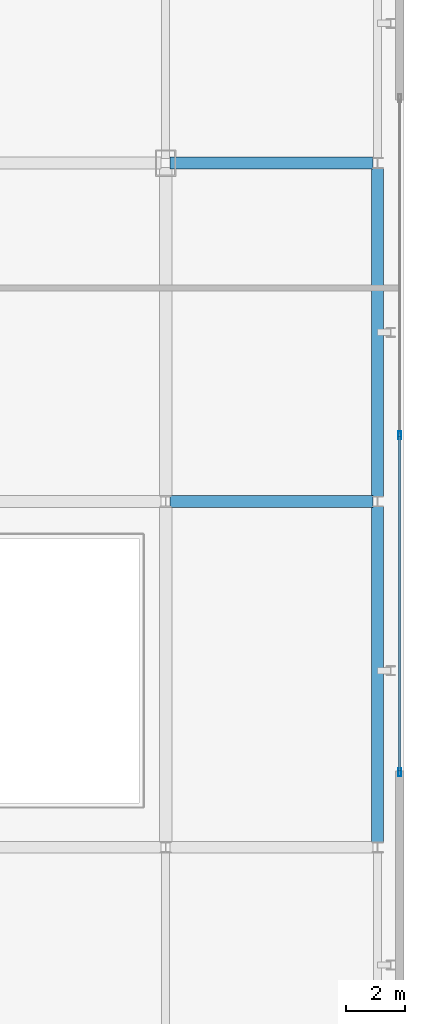
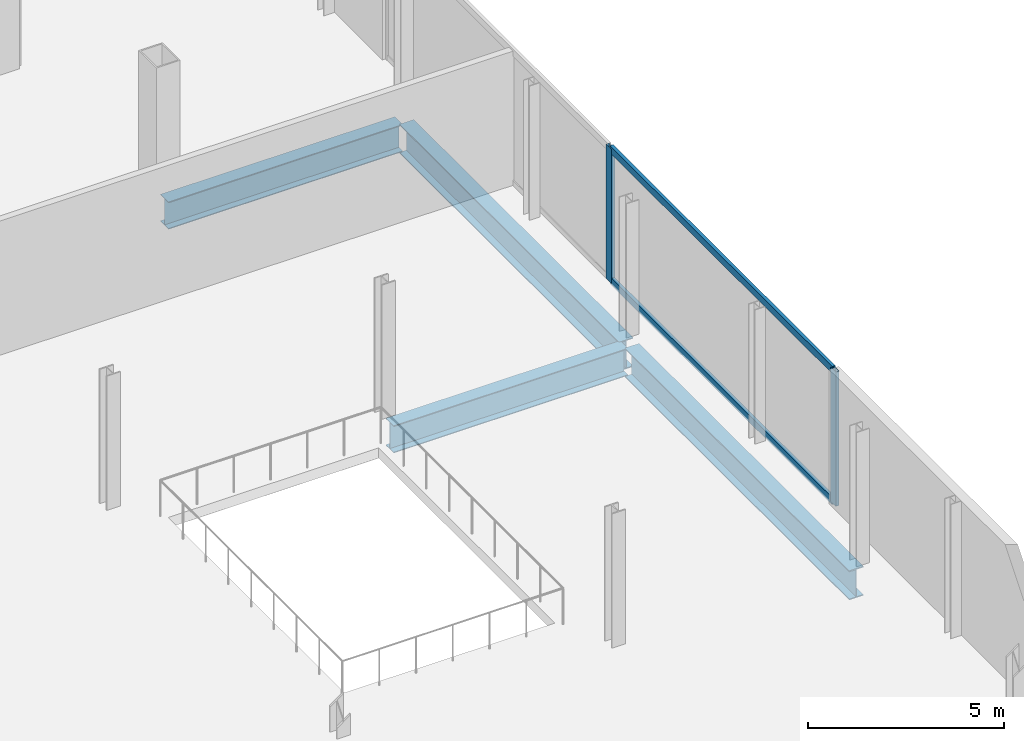
# One storey, part 16 of 27: 4 beams, 4 members, 1 element without a shape of its own.
"""IFC4 building model written with IfcOpenShell, lengths in metres."""

from ifc_helpers import new_model, si_unit, direction, frame, origin, origin_2d, place, context, subcontext, project, spatial, hollow_rectangle, i_section, extrude, source, transform, mapped, material, layer, layer_set, material_profile, profile_set, type_object, element, aggregate, save


model = new_model("IFC4")

# Units and contexts
model_context = context("Model", 3, precision=1e-05, world=origin(), true_north=direction((0.0, 1.0)))
body_context = subcontext(model_context, "Body", "Model", "MODEL_VIEW")
ifc_project = project(units=[si_unit("LENGTHUNIT", "METRE"), si_unit("AREAUNIT", "SQUARE_METRE"), si_unit("VOLUMEUNIT", "CUBIC_METRE"), si_unit("PLANEANGLEUNIT", "RADIAN"), si_unit("MASSUNIT", "GRAM", prefix="KILO")], contexts=[model_context])

# Site, building, storey
site_placement = place(None, origin())
site = spatial("IfcSite", under=ifc_project, at=site_placement, CompositionType="ELEMENT")
building_placement = place(site_placement, origin())
building = spatial("IfcBuilding", under=site, at=building_placement, Name="Kolveth Station Tower", CompositionType="ELEMENT")
storey_placement = place(building_placement, frame((0.0, 0.0, 13.5)))
storey = spatial("IfcBuildingStorey", under=building, at=storey_placement, Name="L03", CompositionType="ELEMENT", Elevation=13.5)

# Beams
ifc_material_1 = material(Name="Steel S355", Category="steel")
ifc_material_profile_1 = material_profile(ifc_material_1, i_section(OverallWidth=0.40087890625, OverallDepth=0.85107421875, WebThickness=0.01611328125, FlangeThickness=0.025390625, at=origin_2d()), Name="W840x226")
ifc_profile_set_1 = profile_set([ifc_material_profile_1], Name="Steel S355")
beam_type_1 = type_object("IfcBeamType", Name="Beam_B2", PredefinedType="BEAM", material=ifc_profile_set_1)
shared_shape_1 = source(origin(), body_context, "Body", "SweptSolid", [
    extrude(i_section(OverallWidth=0.40087890625, OverallDepth=0.85107421875, WebThickness=0.01611328125, FlangeThickness=0.025390625, at=origin_2d()), origin(), (0.0, 0.0, 1.0), 6.900146484375),
])
for number, where, z_axis, x_axis, name in (
    (1, (63.64990234375, 17.25, -0.74560546875), (1.0, 0.0, 0.0), (0.0, 1.0, 0.0), "L03 Station Portal Girder SBM-L03-EW-4-3"),
    (2, (63.64990234375, 28.75, -0.74560546875), (1.0, 0.0, 0.0), (0.0, 1.0, 0.0), "L03 Station Portal Girder SBM-L03-EW-5-3"),
):
    element("IfcBeam", number, at=place(storey_placement, frame(where, z_axis=z_axis, x_axis=x_axis)), inside=storey, type_object=beam_type_1, Name=name, PredefinedType="BEAM", context=body_context, shape_type="MappedRepresentation", body=[
        mapped(shared_shape_1, transform((0.0, 0.0, 0.0), x_axis=(1.0, 0.0, 0.0), y_axis=(0.0, 1.0, 0.0), z_axis=(0.0, 0.0, 1.0), scale=1.0)),
    ])
ifc_material_profile_2 = material_profile(ifc_material_1, i_section(OverallWidth=0.41796875, OverallDepth=0.912109375, WebThickness=0.019287109375, FlangeThickness=0.031982421875, at=origin_2d()), Name="W920x342")
ifc_profile_set_2 = profile_set([ifc_material_profile_2], Name="Steel S355")
beam_type_2 = type_object("IfcBeamType", Name="Beam_B1", PredefinedType="BEAM", material=ifc_profile_set_2)
shared_shape_2 = source(origin(), body_context, "Body", "SweptSolid", [
    extrude(i_section(OverallWidth=0.41796875, OverallDepth=0.912109375, WebThickness=0.019287109375, FlangeThickness=0.031982421875, at=origin_2d()), origin(), (0.0, 0.0, 1.0), 11.4501953125),
])
beam_1_placement = place(storey_placement, frame((70.699951171875, 5.64990234375, -0.77587890625), z_axis=(0.0, 1.0, 0.0), x_axis=(-1.0, 0.0, 0.0)))
element("IfcBeam", 3, at=beam_1_placement, inside=storey, type_object=beam_type_2, Name="L03 Station Spine Girder SBM-L03-NS-4-3", PredefinedType="BEAM", context=body_context, shape_type="MappedRepresentation", body=[
    mapped(shared_shape_2, transform((0.0, 0.0, 0.0), x_axis=(1.0, 0.0, 0.0), y_axis=(0.0, 1.0, 0.0), z_axis=(0.0, 0.0, 1.0), scale=1.0)),
])
shared_shape_3 = source(origin(), body_context, "Body", "SweptSolid", [
    extrude(i_section(OverallWidth=0.41796875, OverallDepth=0.912109375, WebThickness=0.019287109375, FlangeThickness=0.031982421875, at=origin_2d()), origin(), (0.0, 0.0, 1.0), 11.2001953125),
])
beam_2_placement = place(storey_placement, frame((70.699951171875, 17.39990234375, -0.77587890625), z_axis=(0.0, 1.0, 0.0), x_axis=(-1.0, 0.0, 0.0)))
element("IfcBeam", 4, at=beam_2_placement, inside=storey, type_object=beam_type_2, Name="L03 Station Spine Girder SBM-L03-NS-4-4", PredefinedType="BEAM", context=body_context, shape_type="MappedRepresentation", body=[
    mapped(shared_shape_3, transform((0.0, 0.0, 0.0), x_axis=(1.0, 0.0, 0.0), y_axis=(0.0, 1.0, 0.0), z_axis=(0.0, 0.0, 1.0), scale=1.0)),
])

# Curtain wall, members
ifc_material_2 = material(Name="Black anodized aluminium 6063-T6 and clear station glass", Category="aluminium")
ifc_layer = layer(ifc_material_2, 0.239990234375)
ifc_layer_set = layer_set([ifc_layer], Name="Black anodized aluminium 6063-T6 and clear station glass")
curtain_wall_type = type_object("IfcCurtainWallType", Name="CurtainWall_CW-ST", PredefinedType="NOTDEFINED", material=ifc_layer_set)
curtain_wall_placement = place(storey_placement, origin())
curtain_wall = element("IfcCurtainWall", 5, at=curtain_wall_placement, inside=storey, type_object=curtain_wall_type, Name="L03 Station East Main Hall Curtain Wall", PredefinedType="NOTDEFINED")
ifc_material_3 = material(Name="Black anodized aluminium 6063-T6", Category="aluminium")
ifc_material_profile_3 = material_profile(ifc_material_3, hollow_rectangle(XDim=0.10009765625, YDim=0.280029296875, WallThickness=0.0048828125, at=origin_2d()), Name="ALU-100x280x5")
ifc_profile_set_3 = profile_set([ifc_material_profile_3], Name="Black anodized aluminium 6063-T6")
member_type_1 = type_object("IfcMemberType", Name="Mullion_ML-ST", PredefinedType="MULLION", material=ifc_profile_set_3)
shared_shape_4 = source(origin(), body_context, "Body", "SweptSolid", [
    extrude(hollow_rectangle(XDim=0.10009765625, YDim=0.280029296875, WallThickness=0.0048828125, at=origin_2d()), origin(), (0.0, 0.0, 1.0), 4.179931640625),
])
member_1_placement = place(storey_placement, frame((71.449951171875, 8.050048828125, 0.0), z_axis=(0.0, 0.0, 1.0), x_axis=(-1.0, 0.0, 0.0)))
member_1 = element("IfcMember", 6, at=member_1_placement, type_object=member_type_1, Name="CW-ST mullion 1", PredefinedType="MULLION", context=body_context, shape_type="MappedRepresentation", body=[
    mapped(shared_shape_4, transform((0.0, 0.0, 0.0), x_axis=(1.0, 0.0, 0.0), y_axis=(0.0, 1.0, 0.0), z_axis=(0.0, 0.0, 1.0), scale=1.0)),
])
member_2_placement = place(storey_placement, frame((71.449951171875, 19.5, 0.0), z_axis=(0.0, 0.0, 1.0), x_axis=(-1.0, 0.0, 0.0)))
member_2 = element("IfcMember", 7, at=member_2_placement, type_object=member_type_1, Name="CW-ST mullion 2", PredefinedType="MULLION", context=body_context, shape_type="MappedRepresentation", body=[
    mapped(shared_shape_4, transform((0.0, 0.0, 0.0), x_axis=(1.0, 0.0, 0.0), y_axis=(0.0, 1.0, 0.0), z_axis=(0.0, 0.0, 1.0), scale=1.0)),
])
ifc_material_profile_4 = material_profile(ifc_material_3, hollow_rectangle(XDim=0.094970703125, YDim=0.219970703125, WallThickness=0.0048828125, at=origin_2d()), Name="ALU-95x220x5")
ifc_profile_set_4 = profile_set([ifc_material_profile_4], Name="Black anodized aluminium 6063-T6")
member_type_2 = type_object("IfcMemberType", Name="Transom_TR-ST", PredefinedType="USERDEFINED", material=ifc_profile_set_4)
shared_shape_5 = source(origin(), body_context, "Body", "SweptSolid", [
    extrude(hollow_rectangle(XDim=0.094970703125, YDim=0.219970703125, WallThickness=0.0048828125, at=origin_2d()), origin(), (0.0, 0.0, 1.0), 11.349853515625),
])
member_3_placement = place(storey_placement, frame((71.449951171875, 8.10009765625, 0.047607421875), z_axis=(0.0, 1.0, 0.0), x_axis=(-1.0, 0.0, 0.0)))
member_3 = element("IfcMember", 8, at=member_3_placement, type_object=member_type_2, Name="CW-ST transom 1.1", ObjectType="TRANSOM", PredefinedType="USERDEFINED", context=body_context, shape_type="MappedRepresentation", body=[
    mapped(shared_shape_5, transform((0.0, 0.0, 0.0), x_axis=(1.0, 0.0, 0.0), y_axis=(0.0, 1.0, 0.0), z_axis=(0.0, 0.0, 1.0), scale=1.0)),
])
member_4_placement = place(storey_placement, frame((71.449951171875, 8.10009765625, 4.132568359375), z_axis=(0.0, 1.0, 0.0), x_axis=(-1.0, 0.0, 0.0)))
member_4 = element("IfcMember", 9, at=member_4_placement, type_object=member_type_2, Name="CW-ST transom 1.2", ObjectType="TRANSOM", PredefinedType="USERDEFINED", context=body_context, shape_type="MappedRepresentation", body=[
    mapped(shared_shape_5, transform((0.0, 0.0, 0.0), x_axis=(1.0, 0.0, 0.0), y_axis=(0.0, 1.0, 0.0), z_axis=(0.0, 0.0, 1.0), scale=1.0)),
])
aggregate(curtain_wall, [member_1, member_2, member_3, member_4])

save(model, "model.ifc")
